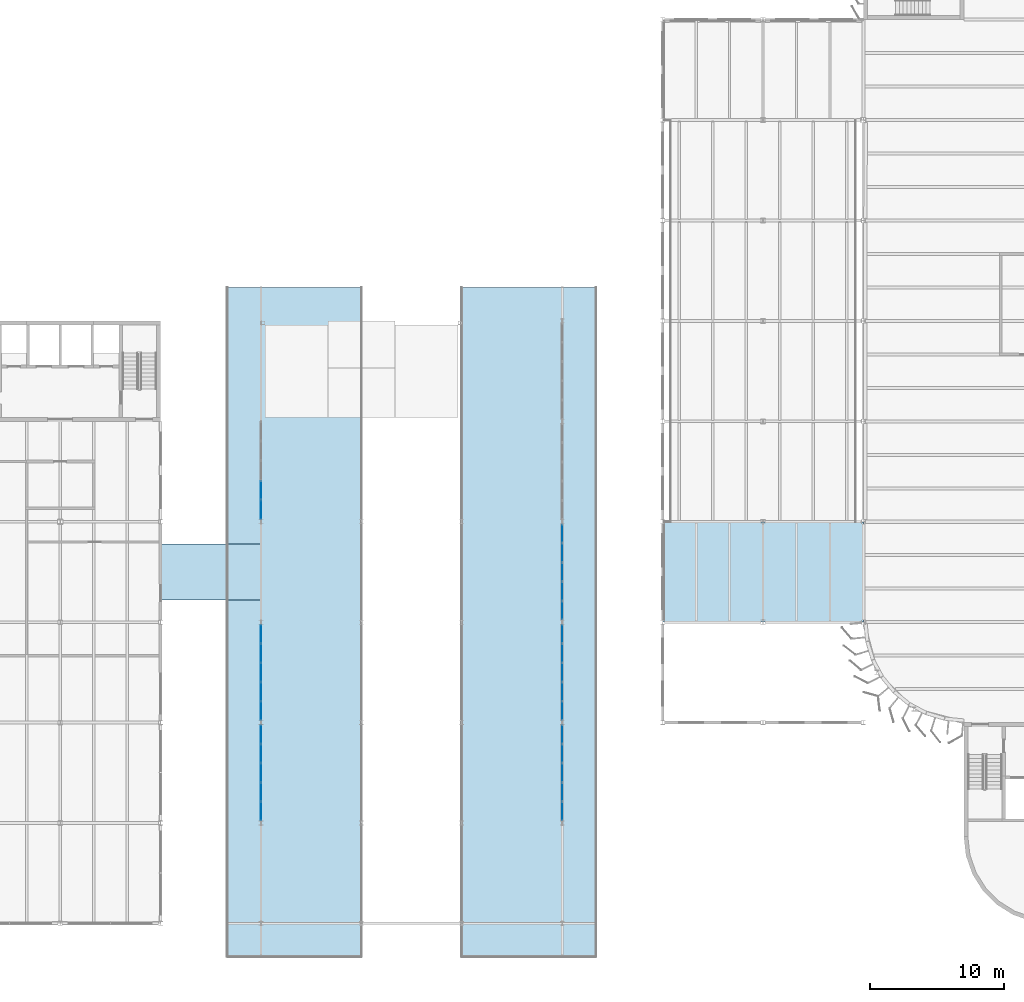
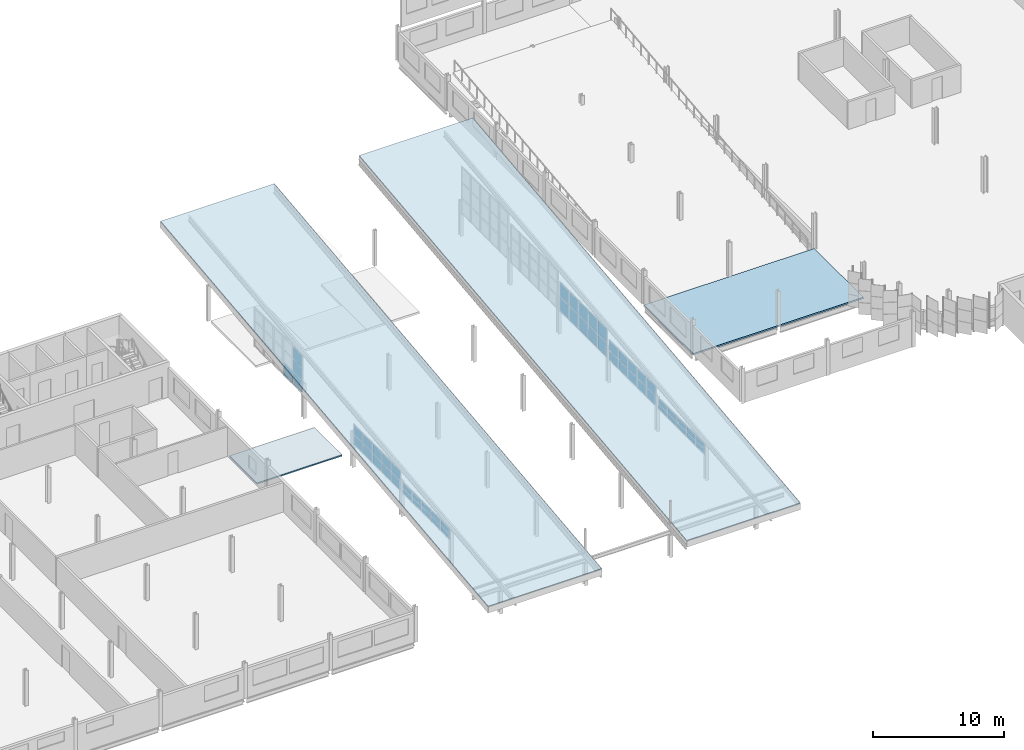
# One storey, part 47 of 199: 54 plates, 4 slabs, 27 elements without a shape of their own.
"""IFC4 building model written with IfcOpenShell, lengths in metres."""

from ifc_helpers import new_model, si_unit, direction, frame, origin, origin_2d, place, context, subcontext, project, spatial, polyline, rectangle, outline, extrude, material, layer, layer_set, type_object, element, aggregate, save


model = new_model("IFC4")

# Units and contexts
model_context = context("Model", 3, precision=1e-05, world=origin(), true_north=direction((0.0, 1.0)))
body_context = subcontext(model_context, "Body", "Model", "MODEL_VIEW")
ifc_project = project(units=[si_unit("LENGTHUNIT", "METRE"), si_unit("AREAUNIT", "SQUARE_METRE"), si_unit("VOLUMEUNIT", "CUBIC_METRE"), si_unit("PLANEANGLEUNIT", "RADIAN"), si_unit("MASSUNIT", "GRAM", prefix="KILO")], contexts=[model_context])

# Site, building, storey
site_placement = place(None, origin())
site = spatial("IfcSite", under=ifc_project, at=site_placement, CompositionType="ELEMENT")
building_placement = place(site_placement, origin())
building = spatial("IfcBuilding", under=site, at=building_placement, Name="Parallax Yard Mobility Hub", CompositionType="ELEMENT")
storey_placement = place(building_placement, frame((0.0, 0.0, 9.89990234375)))
storey = spatial("IfcBuildingStorey", under=building, at=storey_placement, Name="L03", CompositionType="ELEMENT", Elevation=9.89990234375)

# Slabs
ifc_material_1 = material(Name="Steel ASTM A653 Gr 50 deck with insulated sheet", Category="steel")
ifc_layer_1 = layer(ifc_material_1, 0.1201171875)
ifc_layer_set_1 = layer_set([ifc_layer_1], Name="Bridge roof plate")
slab_type_1 = type_object("IfcSlabType", Name="Bridge roof plate", PredefinedType="ROOF", material=ifc_layer_set_1)
placement = place(building_placement, frame((0.0, 0.0, 6.60009765625)))
slab_1_placement = place(placement, frame((142.5, 31.64990234375, 3.368896484375), z_axis=(0.0, 0.0, 1.0), x_axis=(1.0, 0.0, 0.0)))
element("IfcSlab", 1, at=slab_1_placement, inside=storey, type_object=slab_type_1, Name="Bridge BR3 level L02 roof plate", PredefinedType="ROOF", context=body_context, shape_type="SweptSolid", body=[
    extrude(outline(polyline([(0.0, 0.0), (7.5, 0.0), (7.5, 4.2001953125), (0.0, 4.2001953125), (0.0, 0.0)])), origin(), (0.0, 0.0, -1.0), 0.1201171875),
])
ifc_material_2 = material(Name="Composite slab: Concrete fc' 28 MPa on 76 mm steel deck", Category="concrete")
ifc_layer_2 = layer(ifc_material_2, 0.139892578125)
ifc_layer_set_2 = layer_set([ifc_layer_2], Name="Composite floor slab 140")
slab_type_2 = type_object("IfcSlabType", Name="Composite floor slab 140", PredefinedType="FLOOR", material=ifc_layer_set_2)
slab_2_placement = place(storey_placement, frame((0.0, 0.0, -0.139892578125)))
element("IfcSlab", 2, at=slab_2_placement, inside=storey, type_object=slab_type_2, Name="Composite floor slab level L03 of the ramp house (south landing)", PredefinedType="FLOOR", context=body_context, shape_type="SweptSolid", body=[
    extrude(outline(polyline([(195.0, 30.0), (195.0, 37.5), (180.0, 37.5), (180.0, 30.0), (195.0, 30.0)])), origin(), (0.0, 0.0, 1.0), 0.139892578125),
])

# Curtain wall, plates
ifc_material_3 = material(Name="Thermally broken aluminium curtain wall system", Category="aluminium")
curtain_wall_type = type_object("IfcCurtainWallType", Name="Clerestory glazing run 60 x 120 frame", PredefinedType="NOTDEFINED", material=ifc_material_3)
curtain_wall_1_placement = place(storey_placement, origin())
curtain_wall_1 = element("IfcCurtainWall", 3, at=curtain_wall_1_placement, inside=storey, type_object=curtain_wall_type, Name="Clerestory glazing run Bicycle and shared-mobility hall east bay 2 level L02", PredefinedType="NOTDEFINED")
ifc_material_4 = material(Name="Laminated low-E double glazing", Category="glass")
ifc_layer_3 = layer(ifc_material_4, 0.028076171875)
ifc_layer_set_3 = layer_set([ifc_layer_3], Name="Glazing panel 28")
plate_type = type_object("IfcPlateType", Name="Glazing panel 28", PredefinedType="CURTAIN_PANEL", material=ifc_layer_set_3)
plate_1_placement = place(storey_placement, frame((172.5, 15.872802734375, 2.20068359375), z_axis=(0.0, 0.0, 1.0), x_axis=(0.0, 1.0, 0.0)))
plate_1 = element("IfcPlate", 4, at=plate_1_placement, type_object=plate_type, Name="CW4 panel 1.1", PredefinedType="CURTAIN_PANEL", context=body_context, shape_type="SweptSolid", body=[
    extrude(rectangle(XDim=1.318603515625, YDim=0.028076171875, at=origin_2d()), origin(), (0.0, 0.0, 1.0), 0.452392578125),
])
plate_2_placement = place(storey_placement, frame((172.5, 15.872802734375, 2.712890625), z_axis=(0.0, 0.0, 1.0), x_axis=(0.0, 1.0, 0.0)))
plate_2 = element("IfcPlate", 5, at=plate_2_placement, type_object=plate_type, Name="CW4 panel 1.2", PredefinedType="CURTAIN_PANEL", context=body_context, shape_type="SweptSolid", body=[
    extrude(rectangle(XDim=1.318603515625, YDim=0.028076171875, at=origin_2d()), origin(), (0.0, 0.0, 1.0), 0.4521484375),
])
aggregate(curtain_wall_1, [plate_1, plate_2])

curtain_wall_2_placement = place(storey_placement, origin())
curtain_wall_2 = element("IfcCurtainWall", 6, at=curtain_wall_2_placement, inside=storey, type_object=curtain_wall_type, Name="Clerestory glazing run Bicycle and shared-mobility hall east bay 2 level L02", PredefinedType="NOTDEFINED")
plate_3_placement = place(storey_placement, frame((172.5, 17.311279296875, 2.20068359375), z_axis=(0.0, 0.0, 1.0), x_axis=(0.0, 1.0, 0.0)))
plate_3 = element("IfcPlate", 7, at=plate_3_placement, type_object=plate_type, Name="CW4 panel 1.1", PredefinedType="CURTAIN_PANEL", context=body_context, shape_type="SweptSolid", body=[
    extrude(rectangle(XDim=1.318603515625, YDim=0.028076171875, at=origin_2d()), origin(), (0.0, 0.0, 1.0), 0.452392578125),
])
plate_4_placement = place(storey_placement, frame((172.5, 17.311279296875, 2.712890625), z_axis=(0.0, 0.0, 1.0), x_axis=(0.0, 1.0, 0.0)))
plate_4 = element("IfcPlate", 8, at=plate_4_placement, type_object=plate_type, Name="CW4 panel 1.2", PredefinedType="CURTAIN_PANEL", context=body_context, shape_type="SweptSolid", body=[
    extrude(rectangle(XDim=1.318603515625, YDim=0.028076171875, at=origin_2d()), origin(), (0.0, 0.0, 1.0), 0.4521484375),
])
aggregate(curtain_wall_2, [plate_3, plate_4])

curtain_wall_3_placement = place(storey_placement, origin())
curtain_wall_3 = element("IfcCurtainWall", 9, at=curtain_wall_3_placement, inside=storey, type_object=curtain_wall_type, Name="Clerestory glazing run Bicycle and shared-mobility hall east bay 2 level L02", PredefinedType="NOTDEFINED")
plate_5_placement = place(storey_placement, frame((172.5, 18.75, 2.20068359375), z_axis=(0.0, 0.0, 1.0), x_axis=(0.0, 1.0, 0.0)))
plate_5 = element("IfcPlate", 10, at=plate_5_placement, type_object=plate_type, Name="CW4 panel 1.1", PredefinedType="CURTAIN_PANEL", context=body_context, shape_type="SweptSolid", body=[
    extrude(rectangle(XDim=1.318603515625, YDim=0.028076171875, at=origin_2d()), origin(), (0.0, 0.0, 1.0), 0.452392578125),
])
plate_6_placement = place(storey_placement, frame((172.5, 18.75, 2.712890625), z_axis=(0.0, 0.0, 1.0), x_axis=(0.0, 1.0, 0.0)))
plate_6 = element("IfcPlate", 11, at=plate_6_placement, type_object=plate_type, Name="CW4 panel 1.2", PredefinedType="CURTAIN_PANEL", context=body_context, shape_type="SweptSolid", body=[
    extrude(rectangle(XDim=1.318603515625, YDim=0.028076171875, at=origin_2d()), origin(), (0.0, 0.0, 1.0), 0.4521484375),
])
aggregate(curtain_wall_3, [plate_5, plate_6])

curtain_wall_4_placement = place(storey_placement, origin())
curtain_wall_4 = element("IfcCurtainWall", 12, at=curtain_wall_4_placement, inside=storey, type_object=curtain_wall_type, Name="Clerestory glazing run Bicycle and shared-mobility hall east bay 2 level L02", PredefinedType="NOTDEFINED")
plate_7_placement = place(storey_placement, frame((172.5, 20.188720703125, 2.20068359375), z_axis=(0.0, 0.0, 1.0), x_axis=(0.0, 1.0, 0.0)))
plate_7 = element("IfcPlate", 13, at=plate_7_placement, type_object=plate_type, Name="CW4 panel 1.1", PredefinedType="CURTAIN_PANEL", context=body_context, shape_type="SweptSolid", body=[
    extrude(rectangle(XDim=1.318603515625, YDim=0.028076171875, at=origin_2d()), origin(), (0.0, 0.0, 1.0), 0.452392578125),
])
plate_8_placement = place(storey_placement, frame((172.5, 20.188720703125, 2.712890625), z_axis=(0.0, 0.0, 1.0), x_axis=(0.0, 1.0, 0.0)))
plate_8 = element("IfcPlate", 14, at=plate_8_placement, type_object=plate_type, Name="CW4 panel 1.2", PredefinedType="CURTAIN_PANEL", context=body_context, shape_type="SweptSolid", body=[
    extrude(rectangle(XDim=1.318603515625, YDim=0.028076171875, at=origin_2d()), origin(), (0.0, 0.0, 1.0), 0.4521484375),
])
aggregate(curtain_wall_4, [plate_7, plate_8])

curtain_wall_5_placement = place(storey_placement, origin())
curtain_wall_5 = element("IfcCurtainWall", 15, at=curtain_wall_5_placement, inside=storey, type_object=curtain_wall_type, Name="Clerestory glazing run Bicycle and shared-mobility hall east bay 2 level L02", PredefinedType="NOTDEFINED")
plate_9_placement = place(storey_placement, frame((172.5, 21.627197265625, 2.20068359375), z_axis=(0.0, 0.0, 1.0), x_axis=(0.0, 1.0, 0.0)))
plate_9 = element("IfcPlate", 16, at=plate_9_placement, type_object=plate_type, Name="CW4 panel 1.1", PredefinedType="CURTAIN_PANEL", context=body_context, shape_type="SweptSolid", body=[
    extrude(rectangle(XDim=1.318603515625, YDim=0.028076171875, at=origin_2d()), origin(), (0.0, 0.0, 1.0), 0.452392578125),
])
plate_10_placement = place(storey_placement, frame((172.5, 21.627197265625, 2.712890625), z_axis=(0.0, 0.0, 1.0), x_axis=(0.0, 1.0, 0.0)))
plate_10 = element("IfcPlate", 17, at=plate_10_placement, type_object=plate_type, Name="CW4 panel 1.2", PredefinedType="CURTAIN_PANEL", context=body_context, shape_type="SweptSolid", body=[
    extrude(rectangle(XDim=1.318603515625, YDim=0.028076171875, at=origin_2d()), origin(), (0.0, 0.0, 1.0), 0.4521484375),
])
aggregate(curtain_wall_5, [plate_9, plate_10])

curtain_wall_6_placement = place(storey_placement, origin())
curtain_wall_6 = element("IfcCurtainWall", 18, at=curtain_wall_6_placement, inside=storey, type_object=curtain_wall_type, Name="Clerestory glazing run Bicycle and shared-mobility hall east bay 3 level L02", PredefinedType="NOTDEFINED")
plate_11_placement = place(storey_placement, frame((172.5, 23.372802734375, 2.20068359375), z_axis=(0.0, 0.0, 1.0), x_axis=(0.0, 1.0, 0.0)))
plate_11 = element("IfcPlate", 19, at=plate_11_placement, type_object=plate_type, Name="CW4 panel 1.1", PredefinedType="CURTAIN_PANEL", context=body_context, shape_type="SweptSolid", body=[
    extrude(rectangle(XDim=1.318603515625, YDim=0.028076171875, at=origin_2d()), origin(), (0.0, 0.0, 1.0), 0.866455078125),
])
plate_12_placement = place(storey_placement, frame((172.5, 23.372802734375, 3.126953125), z_axis=(0.0, 0.0, 1.0), x_axis=(0.0, 1.0, 0.0)))
plate_12 = element("IfcPlate", 20, at=plate_12_placement, type_object=plate_type, Name="CW4 panel 1.2", PredefinedType="CURTAIN_PANEL", context=body_context, shape_type="SweptSolid", body=[
    extrude(rectangle(XDim=1.318603515625, YDim=0.028076171875, at=origin_2d()), origin(), (0.0, 0.0, 1.0), 0.866455078125),
])
aggregate(curtain_wall_6, [plate_11, plate_12])

curtain_wall_7_placement = place(storey_placement, origin())
curtain_wall_7 = element("IfcCurtainWall", 21, at=curtain_wall_7_placement, inside=storey, type_object=curtain_wall_type, Name="Clerestory glazing run Bicycle and shared-mobility hall east bay 3 level L02", PredefinedType="NOTDEFINED")
plate_13_placement = place(storey_placement, frame((172.5, 24.811279296875, 2.20068359375), z_axis=(0.0, 0.0, 1.0), x_axis=(0.0, 1.0, 0.0)))
plate_13 = element("IfcPlate", 22, at=plate_13_placement, type_object=plate_type, Name="CW4 panel 1.1", PredefinedType="CURTAIN_PANEL", context=body_context, shape_type="SweptSolid", body=[
    extrude(rectangle(XDim=1.318603515625, YDim=0.028076171875, at=origin_2d()), origin(), (0.0, 0.0, 1.0), 0.866455078125),
])
plate_14_placement = place(storey_placement, frame((172.5, 24.811279296875, 3.126953125), z_axis=(0.0, 0.0, 1.0), x_axis=(0.0, 1.0, 0.0)))
plate_14 = element("IfcPlate", 23, at=plate_14_placement, type_object=plate_type, Name="CW4 panel 1.2", PredefinedType="CURTAIN_PANEL", context=body_context, shape_type="SweptSolid", body=[
    extrude(rectangle(XDim=1.318603515625, YDim=0.028076171875, at=origin_2d()), origin(), (0.0, 0.0, 1.0), 0.866455078125),
])
aggregate(curtain_wall_7, [plate_13, plate_14])

curtain_wall_8_placement = place(storey_placement, origin())
curtain_wall_8 = element("IfcCurtainWall", 24, at=curtain_wall_8_placement, inside=storey, type_object=curtain_wall_type, Name="Clerestory glazing run Bicycle and shared-mobility hall east bay 3 level L02", PredefinedType="NOTDEFINED")
plate_15_placement = place(storey_placement, frame((172.5, 26.25, 2.20068359375), z_axis=(0.0, 0.0, 1.0), x_axis=(0.0, 1.0, 0.0)))
plate_15 = element("IfcPlate", 25, at=plate_15_placement, type_object=plate_type, Name="CW4 panel 1.1", PredefinedType="CURTAIN_PANEL", context=body_context, shape_type="SweptSolid", body=[
    extrude(rectangle(XDim=1.318603515625, YDim=0.028076171875, at=origin_2d()), origin(), (0.0, 0.0, 1.0), 0.866455078125),
])
plate_16_placement = place(storey_placement, frame((172.5, 26.25, 3.126953125), z_axis=(0.0, 0.0, 1.0), x_axis=(0.0, 1.0, 0.0)))
plate_16 = element("IfcPlate", 26, at=plate_16_placement, type_object=plate_type, Name="CW4 panel 1.2", PredefinedType="CURTAIN_PANEL", context=body_context, shape_type="SweptSolid", body=[
    extrude(rectangle(XDim=1.318603515625, YDim=0.028076171875, at=origin_2d()), origin(), (0.0, 0.0, 1.0), 0.866455078125),
])
aggregate(curtain_wall_8, [plate_15, plate_16])

curtain_wall_9_placement = place(storey_placement, origin())
curtain_wall_9 = element("IfcCurtainWall", 27, at=curtain_wall_9_placement, inside=storey, type_object=curtain_wall_type, Name="Clerestory glazing run Bicycle and shared-mobility hall east bay 3 level L02", PredefinedType="NOTDEFINED")
plate_17_placement = place(storey_placement, frame((172.5, 27.688720703125, 2.20068359375), z_axis=(0.0, 0.0, 1.0), x_axis=(0.0, 1.0, 0.0)))
plate_17 = element("IfcPlate", 28, at=plate_17_placement, type_object=plate_type, Name="CW4 panel 1.1", PredefinedType="CURTAIN_PANEL", context=body_context, shape_type="SweptSolid", body=[
    extrude(rectangle(XDim=1.318603515625, YDim=0.028076171875, at=origin_2d()), origin(), (0.0, 0.0, 1.0), 0.866455078125),
])
plate_18_placement = place(storey_placement, frame((172.5, 27.688720703125, 3.126953125), z_axis=(0.0, 0.0, 1.0), x_axis=(0.0, 1.0, 0.0)))
plate_18 = element("IfcPlate", 29, at=plate_18_placement, type_object=plate_type, Name="CW4 panel 1.2", PredefinedType="CURTAIN_PANEL", context=body_context, shape_type="SweptSolid", body=[
    extrude(rectangle(XDim=1.318603515625, YDim=0.028076171875, at=origin_2d()), origin(), (0.0, 0.0, 1.0), 0.866455078125),
])
aggregate(curtain_wall_9, [plate_17, plate_18])

curtain_wall_10_placement = place(storey_placement, origin())
curtain_wall_10 = element("IfcCurtainWall", 30, at=curtain_wall_10_placement, inside=storey, type_object=curtain_wall_type, Name="Clerestory glazing run Bicycle and shared-mobility hall east bay 3 level L02", PredefinedType="NOTDEFINED")
plate_19_placement = place(storey_placement, frame((172.5, 29.127197265625, 2.20068359375), z_axis=(0.0, 0.0, 1.0), x_axis=(0.0, 1.0, 0.0)))
plate_19 = element("IfcPlate", 31, at=plate_19_placement, type_object=plate_type, Name="CW4 panel 1.1", PredefinedType="CURTAIN_PANEL", context=body_context, shape_type="SweptSolid", body=[
    extrude(rectangle(XDim=1.318603515625, YDim=0.028076171875, at=origin_2d()), origin(), (0.0, 0.0, 1.0), 0.866455078125),
])
plate_20_placement = place(storey_placement, frame((172.5, 29.127197265625, 3.126953125), z_axis=(0.0, 0.0, 1.0), x_axis=(0.0, 1.0, 0.0)))
plate_20 = element("IfcPlate", 32, at=plate_20_placement, type_object=plate_type, Name="CW4 panel 1.2", PredefinedType="CURTAIN_PANEL", context=body_context, shape_type="SweptSolid", body=[
    extrude(rectangle(XDim=1.318603515625, YDim=0.028076171875, at=origin_2d()), origin(), (0.0, 0.0, 1.0), 0.866455078125),
])
aggregate(curtain_wall_10, [plate_19, plate_20])

curtain_wall_11_placement = place(storey_placement, origin())
curtain_wall_11 = element("IfcCurtainWall", 33, at=curtain_wall_11_placement, inside=storey, type_object=curtain_wall_type, Name="Clerestory glazing run Bicycle and shared-mobility hall east bay 4 level L02", PredefinedType="NOTDEFINED")
plate_21_placement = place(storey_placement, frame((172.5, 30.872802734375, 2.20068359375), z_axis=(0.0, 0.0, 1.0), x_axis=(0.0, 1.0, 0.0)))
plate_21 = element("IfcPlate", 34, at=plate_21_placement, type_object=plate_type, Name="CW4 panel 1.1", PredefinedType="CURTAIN_PANEL", context=body_context, shape_type="SweptSolid", body=[
    extrude(rectangle(XDim=1.318603515625, YDim=0.028076171875, at=origin_2d()), origin(), (0.0, 0.0, 1.0), 1.2861328125),
])
plate_22_placement = place(storey_placement, frame((172.5, 30.872802734375, 3.546630859375), z_axis=(0.0, 0.0, 1.0), x_axis=(0.0, 1.0, 0.0)))
plate_22 = element("IfcPlate", 35, at=plate_22_placement, type_object=plate_type, Name="CW4 panel 1.2", PredefinedType="CURTAIN_PANEL", context=body_context, shape_type="SweptSolid", body=[
    extrude(rectangle(XDim=1.318603515625, YDim=0.028076171875, at=origin_2d()), origin(), (0.0, 0.0, 1.0), 1.2861328125),
])
aggregate(curtain_wall_11, [plate_21, plate_22])

curtain_wall_12_placement = place(storey_placement, origin())
curtain_wall_12 = element("IfcCurtainWall", 36, at=curtain_wall_12_placement, inside=storey, type_object=curtain_wall_type, Name="Clerestory glazing run Bicycle and shared-mobility hall east bay 4 level L02", PredefinedType="NOTDEFINED")
plate_23_placement = place(storey_placement, frame((172.5, 32.311279296875, 2.20068359375), z_axis=(0.0, 0.0, 1.0), x_axis=(0.0, 1.0, 0.0)))
plate_23 = element("IfcPlate", 37, at=plate_23_placement, type_object=plate_type, Name="CW4 panel 1.1", PredefinedType="CURTAIN_PANEL", context=body_context, shape_type="SweptSolid", body=[
    extrude(rectangle(XDim=1.318603515625, YDim=0.028076171875, at=origin_2d()), origin(), (0.0, 0.0, 1.0), 1.2861328125),
])
plate_24_placement = place(storey_placement, frame((172.5, 32.311279296875, 3.546630859375), z_axis=(0.0, 0.0, 1.0), x_axis=(0.0, 1.0, 0.0)))
plate_24 = element("IfcPlate", 38, at=plate_24_placement, type_object=plate_type, Name="CW4 panel 1.2", PredefinedType="CURTAIN_PANEL", context=body_context, shape_type="SweptSolid", body=[
    extrude(rectangle(XDim=1.318603515625, YDim=0.028076171875, at=origin_2d()), origin(), (0.0, 0.0, 1.0), 1.2861328125),
])
aggregate(curtain_wall_12, [plate_23, plate_24])

curtain_wall_13_placement = place(storey_placement, origin())
curtain_wall_13 = element("IfcCurtainWall", 39, at=curtain_wall_13_placement, inside=storey, type_object=curtain_wall_type, Name="Clerestory glazing run Bicycle and shared-mobility hall east bay 4 level L02", PredefinedType="NOTDEFINED")
plate_25_placement = place(storey_placement, frame((172.5, 33.75, 2.20068359375), z_axis=(0.0, 0.0, 1.0), x_axis=(0.0, 1.0, 0.0)))
plate_25 = element("IfcPlate", 40, at=plate_25_placement, type_object=plate_type, Name="CW4 panel 1.1", PredefinedType="CURTAIN_PANEL", context=body_context, shape_type="SweptSolid", body=[
    extrude(rectangle(XDim=1.318603515625, YDim=0.028076171875, at=origin_2d()), origin(), (0.0, 0.0, 1.0), 1.2861328125),
])
plate_26_placement = place(storey_placement, frame((172.5, 33.75, 3.546630859375), z_axis=(0.0, 0.0, 1.0), x_axis=(0.0, 1.0, 0.0)))
plate_26 = element("IfcPlate", 41, at=plate_26_placement, type_object=plate_type, Name="CW4 panel 1.2", PredefinedType="CURTAIN_PANEL", context=body_context, shape_type="SweptSolid", body=[
    extrude(rectangle(XDim=1.318603515625, YDim=0.028076171875, at=origin_2d()), origin(), (0.0, 0.0, 1.0), 1.2861328125),
])
aggregate(curtain_wall_13, [plate_25, plate_26])

curtain_wall_14_placement = place(storey_placement, origin())
curtain_wall_14 = element("IfcCurtainWall", 42, at=curtain_wall_14_placement, inside=storey, type_object=curtain_wall_type, Name="Clerestory glazing run Bicycle and shared-mobility hall east bay 4 level L02", PredefinedType="NOTDEFINED")
plate_27_placement = place(storey_placement, frame((172.5, 35.188720703125, 2.20068359375), z_axis=(0.0, 0.0, 1.0), x_axis=(0.0, 1.0, 0.0)))
plate_27 = element("IfcPlate", 43, at=plate_27_placement, type_object=plate_type, Name="CW4 panel 1.1", PredefinedType="CURTAIN_PANEL", context=body_context, shape_type="SweptSolid", body=[
    extrude(rectangle(XDim=1.318603515625, YDim=0.028076171875, at=origin_2d()), origin(), (0.0, 0.0, 1.0), 1.2861328125),
])
plate_28_placement = place(storey_placement, frame((172.5, 35.188720703125, 3.546630859375), z_axis=(0.0, 0.0, 1.0), x_axis=(0.0, 1.0, 0.0)))
plate_28 = element("IfcPlate", 44, at=plate_28_placement, type_object=plate_type, Name="CW4 panel 1.2", PredefinedType="CURTAIN_PANEL", context=body_context, shape_type="SweptSolid", body=[
    extrude(rectangle(XDim=1.318603515625, YDim=0.028076171875, at=origin_2d()), origin(), (0.0, 0.0, 1.0), 1.2861328125),
])
aggregate(curtain_wall_14, [plate_27, plate_28])

curtain_wall_15_placement = place(storey_placement, origin())
curtain_wall_15 = element("IfcCurtainWall", 45, at=curtain_wall_15_placement, inside=storey, type_object=curtain_wall_type, Name="Clerestory glazing run Bicycle and shared-mobility hall east bay 4 level L02", PredefinedType="NOTDEFINED")
plate_29_placement = place(storey_placement, frame((172.5, 36.627197265625, 2.20068359375), z_axis=(0.0, 0.0, 1.0), x_axis=(0.0, 1.0, 0.0)))
plate_29 = element("IfcPlate", 46, at=plate_29_placement, type_object=plate_type, Name="CW4 panel 1.1", PredefinedType="CURTAIN_PANEL", context=body_context, shape_type="SweptSolid", body=[
    extrude(rectangle(XDim=1.318603515625, YDim=0.028076171875, at=origin_2d()), origin(), (0.0, 0.0, 1.0), 1.2861328125),
])
plate_30_placement = place(storey_placement, frame((172.5, 36.627197265625, 3.546630859375), z_axis=(0.0, 0.0, 1.0), x_axis=(0.0, 1.0, 0.0)))
plate_30 = element("IfcPlate", 47, at=plate_30_placement, type_object=plate_type, Name="CW4 panel 1.2", PredefinedType="CURTAIN_PANEL", context=body_context, shape_type="SweptSolid", body=[
    extrude(rectangle(XDim=1.318603515625, YDim=0.028076171875, at=origin_2d()), origin(), (0.0, 0.0, 1.0), 1.2861328125),
])
aggregate(curtain_wall_15, [plate_29, plate_30])

curtain_wall_16_placement = place(storey_placement, origin())
curtain_wall_16 = element("IfcCurtainWall", 48, at=curtain_wall_16_placement, inside=storey, type_object=curtain_wall_type, Name="Clerestory glazing run Bicycle and shared-mobility hall west bay 2 level L02", PredefinedType="NOTDEFINED")
plate_31_placement = place(storey_placement, frame((150.0, 15.872802734375, 2.20068359375), z_axis=(0.0, 0.0, 1.0), x_axis=(0.0, 1.0, 0.0)))
plate_31 = element("IfcPlate", 49, at=plate_31_placement, type_object=plate_type, Name="CW4 panel 1.1", PredefinedType="CURTAIN_PANEL", context=body_context, shape_type="SweptSolid", body=[
    extrude(rectangle(XDim=1.318603515625, YDim=0.028076171875, at=origin_2d()), origin(), (0.0, 0.0, 1.0), 0.452392578125),
])
plate_32_placement = place(storey_placement, frame((150.0, 15.872802734375, 2.712890625), z_axis=(0.0, 0.0, 1.0), x_axis=(0.0, 1.0, 0.0)))
plate_32 = element("IfcPlate", 50, at=plate_32_placement, type_object=plate_type, Name="CW4 panel 1.2", PredefinedType="CURTAIN_PANEL", context=body_context, shape_type="SweptSolid", body=[
    extrude(rectangle(XDim=1.318603515625, YDim=0.028076171875, at=origin_2d()), origin(), (0.0, 0.0, 1.0), 0.4521484375),
])
aggregate(curtain_wall_16, [plate_31, plate_32])

curtain_wall_17_placement = place(storey_placement, origin())
curtain_wall_17 = element("IfcCurtainWall", 51, at=curtain_wall_17_placement, inside=storey, type_object=curtain_wall_type, Name="Clerestory glazing run Bicycle and shared-mobility hall west bay 2 level L02", PredefinedType="NOTDEFINED")
plate_33_placement = place(storey_placement, frame((150.0, 17.311279296875, 2.20068359375), z_axis=(0.0, 0.0, 1.0), x_axis=(0.0, 1.0, 0.0)))
plate_33 = element("IfcPlate", 52, at=plate_33_placement, type_object=plate_type, Name="CW4 panel 1.1", PredefinedType="CURTAIN_PANEL", context=body_context, shape_type="SweptSolid", body=[
    extrude(rectangle(XDim=1.318603515625, YDim=0.028076171875, at=origin_2d()), origin(), (0.0, 0.0, 1.0), 0.452392578125),
])
plate_34_placement = place(storey_placement, frame((150.0, 17.311279296875, 2.712890625), z_axis=(0.0, 0.0, 1.0), x_axis=(0.0, 1.0, 0.0)))
plate_34 = element("IfcPlate", 53, at=plate_34_placement, type_object=plate_type, Name="CW4 panel 1.2", PredefinedType="CURTAIN_PANEL", context=body_context, shape_type="SweptSolid", body=[
    extrude(rectangle(XDim=1.318603515625, YDim=0.028076171875, at=origin_2d()), origin(), (0.0, 0.0, 1.0), 0.4521484375),
])
aggregate(curtain_wall_17, [plate_33, plate_34])

curtain_wall_18_placement = place(storey_placement, origin())
curtain_wall_18 = element("IfcCurtainWall", 54, at=curtain_wall_18_placement, inside=storey, type_object=curtain_wall_type, Name="Clerestory glazing run Bicycle and shared-mobility hall west bay 2 level L02", PredefinedType="NOTDEFINED")
plate_35_placement = place(storey_placement, frame((150.0, 18.75, 2.20068359375), z_axis=(0.0, 0.0, 1.0), x_axis=(0.0, 1.0, 0.0)))
plate_35 = element("IfcPlate", 55, at=plate_35_placement, type_object=plate_type, Name="CW4 panel 1.1", PredefinedType="CURTAIN_PANEL", context=body_context, shape_type="SweptSolid", body=[
    extrude(rectangle(XDim=1.318603515625, YDim=0.028076171875, at=origin_2d()), origin(), (0.0, 0.0, 1.0), 0.452392578125),
])
plate_36_placement = place(storey_placement, frame((150.0, 18.75, 2.712890625), z_axis=(0.0, 0.0, 1.0), x_axis=(0.0, 1.0, 0.0)))
plate_36 = element("IfcPlate", 56, at=plate_36_placement, type_object=plate_type, Name="CW4 panel 1.2", PredefinedType="CURTAIN_PANEL", context=body_context, shape_type="SweptSolid", body=[
    extrude(rectangle(XDim=1.318603515625, YDim=0.028076171875, at=origin_2d()), origin(), (0.0, 0.0, 1.0), 0.4521484375),
])
aggregate(curtain_wall_18, [plate_35, plate_36])

curtain_wall_19_placement = place(storey_placement, origin())
curtain_wall_19 = element("IfcCurtainWall", 57, at=curtain_wall_19_placement, inside=storey, type_object=curtain_wall_type, Name="Clerestory glazing run Bicycle and shared-mobility hall west bay 2 level L02", PredefinedType="NOTDEFINED")
plate_37_placement = place(storey_placement, frame((150.0, 20.188720703125, 2.20068359375), z_axis=(0.0, 0.0, 1.0), x_axis=(0.0, 1.0, 0.0)))
plate_37 = element("IfcPlate", 58, at=plate_37_placement, type_object=plate_type, Name="CW4 panel 1.1", PredefinedType="CURTAIN_PANEL", context=body_context, shape_type="SweptSolid", body=[
    extrude(rectangle(XDim=1.318603515625, YDim=0.028076171875, at=origin_2d()), origin(), (0.0, 0.0, 1.0), 0.452392578125),
])
plate_38_placement = place(storey_placement, frame((150.0, 20.188720703125, 2.712890625), z_axis=(0.0, 0.0, 1.0), x_axis=(0.0, 1.0, 0.0)))
plate_38 = element("IfcPlate", 59, at=plate_38_placement, type_object=plate_type, Name="CW4 panel 1.2", PredefinedType="CURTAIN_PANEL", context=body_context, shape_type="SweptSolid", body=[
    extrude(rectangle(XDim=1.318603515625, YDim=0.028076171875, at=origin_2d()), origin(), (0.0, 0.0, 1.0), 0.4521484375),
])
aggregate(curtain_wall_19, [plate_37, plate_38])

curtain_wall_20_placement = place(storey_placement, origin())
curtain_wall_20 = element("IfcCurtainWall", 60, at=curtain_wall_20_placement, inside=storey, type_object=curtain_wall_type, Name="Clerestory glazing run Bicycle and shared-mobility hall west bay 2 level L02", PredefinedType="NOTDEFINED")
plate_39_placement = place(storey_placement, frame((150.0, 21.627197265625, 2.20068359375), z_axis=(0.0, 0.0, 1.0), x_axis=(0.0, 1.0, 0.0)))
plate_39 = element("IfcPlate", 61, at=plate_39_placement, type_object=plate_type, Name="CW4 panel 1.1", PredefinedType="CURTAIN_PANEL", context=body_context, shape_type="SweptSolid", body=[
    extrude(rectangle(XDim=1.318603515625, YDim=0.028076171875, at=origin_2d()), origin(), (0.0, 0.0, 1.0), 0.452392578125),
])
plate_40_placement = place(storey_placement, frame((150.0, 21.627197265625, 2.712890625), z_axis=(0.0, 0.0, 1.0), x_axis=(0.0, 1.0, 0.0)))
plate_40 = element("IfcPlate", 62, at=plate_40_placement, type_object=plate_type, Name="CW4 panel 1.2", PredefinedType="CURTAIN_PANEL", context=body_context, shape_type="SweptSolid", body=[
    extrude(rectangle(XDim=1.318603515625, YDim=0.028076171875, at=origin_2d()), origin(), (0.0, 0.0, 1.0), 0.4521484375),
])
aggregate(curtain_wall_20, [plate_39, plate_40])

curtain_wall_21_placement = place(storey_placement, origin())
curtain_wall_21 = element("IfcCurtainWall", 63, at=curtain_wall_21_placement, inside=storey, type_object=curtain_wall_type, Name="Clerestory glazing run Bicycle and shared-mobility hall west bay 3 level L02", PredefinedType="NOTDEFINED")
plate_41_placement = place(storey_placement, frame((150.0, 23.372802734375, 2.20068359375), z_axis=(0.0, 0.0, 1.0), x_axis=(0.0, 1.0, 0.0)))
plate_41 = element("IfcPlate", 64, at=plate_41_placement, type_object=plate_type, Name="CW4 panel 1.1", PredefinedType="CURTAIN_PANEL", context=body_context, shape_type="SweptSolid", body=[
    extrude(rectangle(XDim=1.318603515625, YDim=0.028076171875, at=origin_2d()), origin(), (0.0, 0.0, 1.0), 0.866455078125),
])
plate_42_placement = place(storey_placement, frame((150.0, 23.372802734375, 3.126953125), z_axis=(0.0, 0.0, 1.0), x_axis=(0.0, 1.0, 0.0)))
plate_42 = element("IfcPlate", 65, at=plate_42_placement, type_object=plate_type, Name="CW4 panel 1.2", PredefinedType="CURTAIN_PANEL", context=body_context, shape_type="SweptSolid", body=[
    extrude(rectangle(XDim=1.318603515625, YDim=0.028076171875, at=origin_2d()), origin(), (0.0, 0.0, 1.0), 0.866455078125),
])
aggregate(curtain_wall_21, [plate_41, plate_42])

curtain_wall_22_placement = place(storey_placement, origin())
curtain_wall_22 = element("IfcCurtainWall", 66, at=curtain_wall_22_placement, inside=storey, type_object=curtain_wall_type, Name="Clerestory glazing run Bicycle and shared-mobility hall west bay 3 level L02", PredefinedType="NOTDEFINED")
plate_43_placement = place(storey_placement, frame((150.0, 24.811279296875, 2.20068359375), z_axis=(0.0, 0.0, 1.0), x_axis=(0.0, 1.0, 0.0)))
plate_43 = element("IfcPlate", 67, at=plate_43_placement, type_object=plate_type, Name="CW4 panel 1.1", PredefinedType="CURTAIN_PANEL", context=body_context, shape_type="SweptSolid", body=[
    extrude(rectangle(XDim=1.318603515625, YDim=0.028076171875, at=origin_2d()), origin(), (0.0, 0.0, 1.0), 0.866455078125),
])
plate_44_placement = place(storey_placement, frame((150.0, 24.811279296875, 3.126953125), z_axis=(0.0, 0.0, 1.0), x_axis=(0.0, 1.0, 0.0)))
plate_44 = element("IfcPlate", 68, at=plate_44_placement, type_object=plate_type, Name="CW4 panel 1.2", PredefinedType="CURTAIN_PANEL", context=body_context, shape_type="SweptSolid", body=[
    extrude(rectangle(XDim=1.318603515625, YDim=0.028076171875, at=origin_2d()), origin(), (0.0, 0.0, 1.0), 0.866455078125),
])
aggregate(curtain_wall_22, [plate_43, plate_44])

curtain_wall_23_placement = place(storey_placement, origin())
curtain_wall_23 = element("IfcCurtainWall", 69, at=curtain_wall_23_placement, inside=storey, type_object=curtain_wall_type, Name="Clerestory glazing run Bicycle and shared-mobility hall west bay 3 level L02", PredefinedType="NOTDEFINED")
plate_45_placement = place(storey_placement, frame((150.0, 26.25, 2.20068359375), z_axis=(0.0, 0.0, 1.0), x_axis=(0.0, 1.0, 0.0)))
plate_45 = element("IfcPlate", 70, at=plate_45_placement, type_object=plate_type, Name="CW4 panel 1.1", PredefinedType="CURTAIN_PANEL", context=body_context, shape_type="SweptSolid", body=[
    extrude(rectangle(XDim=1.318603515625, YDim=0.028076171875, at=origin_2d()), origin(), (0.0, 0.0, 1.0), 0.866455078125),
])
plate_46_placement = place(storey_placement, frame((150.0, 26.25, 3.126953125), z_axis=(0.0, 0.0, 1.0), x_axis=(0.0, 1.0, 0.0)))
plate_46 = element("IfcPlate", 71, at=plate_46_placement, type_object=plate_type, Name="CW4 panel 1.2", PredefinedType="CURTAIN_PANEL", context=body_context, shape_type="SweptSolid", body=[
    extrude(rectangle(XDim=1.318603515625, YDim=0.028076171875, at=origin_2d()), origin(), (0.0, 0.0, 1.0), 0.866455078125),
])
aggregate(curtain_wall_23, [plate_45, plate_46])

curtain_wall_24_placement = place(storey_placement, origin())
curtain_wall_24 = element("IfcCurtainWall", 72, at=curtain_wall_24_placement, inside=storey, type_object=curtain_wall_type, Name="Clerestory glazing run Bicycle and shared-mobility hall west bay 3 level L02", PredefinedType="NOTDEFINED")
plate_47_placement = place(storey_placement, frame((150.0, 27.688720703125, 2.20068359375), z_axis=(0.0, 0.0, 1.0), x_axis=(0.0, 1.0, 0.0)))
plate_47 = element("IfcPlate", 73, at=plate_47_placement, type_object=plate_type, Name="CW4 panel 1.1", PredefinedType="CURTAIN_PANEL", context=body_context, shape_type="SweptSolid", body=[
    extrude(rectangle(XDim=1.318603515625, YDim=0.028076171875, at=origin_2d()), origin(), (0.0, 0.0, 1.0), 0.866455078125),
])
plate_48_placement = place(storey_placement, frame((150.0, 27.688720703125, 3.126953125), z_axis=(0.0, 0.0, 1.0), x_axis=(0.0, 1.0, 0.0)))
plate_48 = element("IfcPlate", 74, at=plate_48_placement, type_object=plate_type, Name="CW4 panel 1.2", PredefinedType="CURTAIN_PANEL", context=body_context, shape_type="SweptSolid", body=[
    extrude(rectangle(XDim=1.318603515625, YDim=0.028076171875, at=origin_2d()), origin(), (0.0, 0.0, 1.0), 0.866455078125),
])
aggregate(curtain_wall_24, [plate_47, plate_48])

curtain_wall_25_placement = place(storey_placement, origin())
curtain_wall_25 = element("IfcCurtainWall", 75, at=curtain_wall_25_placement, inside=storey, type_object=curtain_wall_type, Name="Clerestory glazing run Bicycle and shared-mobility hall west bay 3 level L02", PredefinedType="NOTDEFINED")
plate_49_placement = place(storey_placement, frame((150.0, 29.127197265625, 2.20068359375), z_axis=(0.0, 0.0, 1.0), x_axis=(0.0, 1.0, 0.0)))
plate_49 = element("IfcPlate", 76, at=plate_49_placement, type_object=plate_type, Name="CW4 panel 1.1", PredefinedType="CURTAIN_PANEL", context=body_context, shape_type="SweptSolid", body=[
    extrude(rectangle(XDim=1.318603515625, YDim=0.028076171875, at=origin_2d()), origin(), (0.0, 0.0, 1.0), 0.866455078125),
])
plate_50_placement = place(storey_placement, frame((150.0, 29.127197265625, 3.126953125), z_axis=(0.0, 0.0, 1.0), x_axis=(0.0, 1.0, 0.0)))
plate_50 = element("IfcPlate", 77, at=plate_50_placement, type_object=plate_type, Name="CW4 panel 1.2", PredefinedType="CURTAIN_PANEL", context=body_context, shape_type="SweptSolid", body=[
    extrude(rectangle(XDim=1.318603515625, YDim=0.028076171875, at=origin_2d()), origin(), (0.0, 0.0, 1.0), 0.866455078125),
])
aggregate(curtain_wall_25, [plate_49, plate_50])

curtain_wall_26_placement = place(storey_placement, origin())
curtain_wall_26 = element("IfcCurtainWall", 78, at=curtain_wall_26_placement, inside=storey, type_object=curtain_wall_type, Name="Clerestory glazing run Bicycle and shared-mobility hall west bay 5 level L02", PredefinedType="NOTDEFINED")
plate_51_placement = place(storey_placement, frame((150.0, 38.38818359375, 2.20068359375), z_axis=(0.0, 0.0, 1.0), x_axis=(0.0, 1.0, 0.0)))
plate_51 = element("IfcPlate", 79, at=plate_51_placement, type_object=plate_type, Name="CW4 panel 1.1", PredefinedType="CURTAIN_PANEL", context=body_context, shape_type="SweptSolid", body=[
    extrude(rectangle(XDim=1.349365234375, YDim=0.028076171875, at=origin_2d()), origin(), (0.0, 0.0, 1.0), 1.103515625),
])
plate_52_placement = place(storey_placement, frame((150.0, 38.38818359375, 3.3642578125), z_axis=(0.0, 0.0, 1.0), x_axis=(0.0, 1.0, 0.0)))
plate_52 = element("IfcPlate", 80, at=plate_52_placement, type_object=plate_type, Name="CW4 panel 1.2", PredefinedType="CURTAIN_PANEL", context=body_context, shape_type="SweptSolid", body=[
    extrude(rectangle(XDim=1.349365234375, YDim=0.028076171875, at=origin_2d()), origin(), (0.0, 0.0, 1.0), 1.133544921875),
])
plate_53_placement = place(storey_placement, frame((150.0, 38.38818359375, 4.5576171875), z_axis=(0.0, 0.0, 1.0), x_axis=(0.0, 1.0, 0.0)))
plate_53 = element("IfcPlate", 81, at=plate_53_placement, type_object=plate_type, Name="CW4 panel 1.3", PredefinedType="CURTAIN_PANEL", context=body_context, shape_type="SweptSolid", body=[
    extrude(rectangle(XDim=1.349365234375, YDim=0.028076171875, at=origin_2d()), origin(), (0.0, 0.0, 1.0), 1.103515625),
])
aggregate(curtain_wall_26, [plate_51, plate_52, plate_53])

# Curtain wall, plate
curtain_wall_27_placement = place(storey_placement, origin())
curtain_wall_27 = element("IfcCurtainWall", 82, at=curtain_wall_27_placement, inside=storey, type_object=curtain_wall_type, Name="Clerestory glazing run Bicycle and shared-mobility hall west bay 5 level L02", PredefinedType="NOTDEFINED")
plate_54_placement = place(storey_placement, frame((150.0, 39.857421875, 2.20068359375), z_axis=(0.0, 0.0, 1.0), x_axis=(0.0, 1.0, 0.0)))
plate_54 = element("IfcPlate", 83, at=plate_54_placement, type_object=plate_type, Name="CW4 panel 1.1", PredefinedType="CURTAIN_PANEL", context=body_context, shape_type="SweptSolid", body=[
    extrude(rectangle(XDim=1.349365234375, YDim=0.028076171875, at=origin_2d()), origin(), (0.0, 0.0, 1.0), 1.103515625),
])
aggregate(curtain_wall_27, [plate_54])

# Slabs
ifc_layer_4 = layer(ifc_material_1, 0.1201171875)
ifc_layer_set_4 = layer_set([ifc_layer_4], Name="Hall roof plate")
slab_type_3 = type_object("IfcSlabType", Name="Hall roof plate", PredefinedType="ROOF", material=ifc_layer_set_4)
for number, where, z_axis, x_axis, name in (
    (84, (147.5, 5.0, 2.99853515625), (0.0, -0.110433656637, 0.993883497942), (1.0, 0.0, 0.0), "Roof plate west of the monitor"),
    (85, (165.0, 5.0, 2.99853515625), (0.0, -0.110433656637, 0.993883497942), (1.0, 0.0, 0.0), "Roof plate east of the monitor"),
):
    element("IfcSlab", number, at=place(storey_placement, frame(where, z_axis=z_axis, x_axis=x_axis)), inside=storey, type_object=slab_type_3, Name=name, PredefinedType="ROOF", context=body_context, shape_type="SweptSolid", body=[
        extrude(outline(polyline([(0.0, 0.0), (10.0, 0.0), (10.0, 50.307707194577596), (0.0, 50.307707194577596), (0.0, 0.0)])), origin(), (0.0, 0.0, -1.0), 0.1201171875),
    ])

save(model, "model.ifc")
